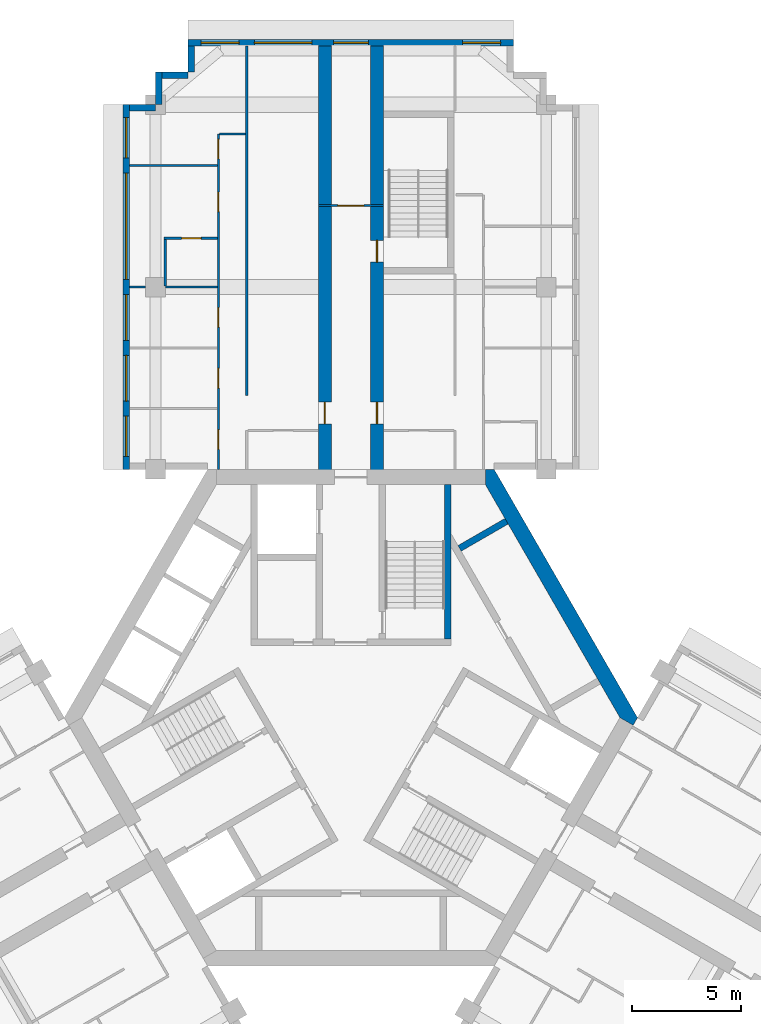
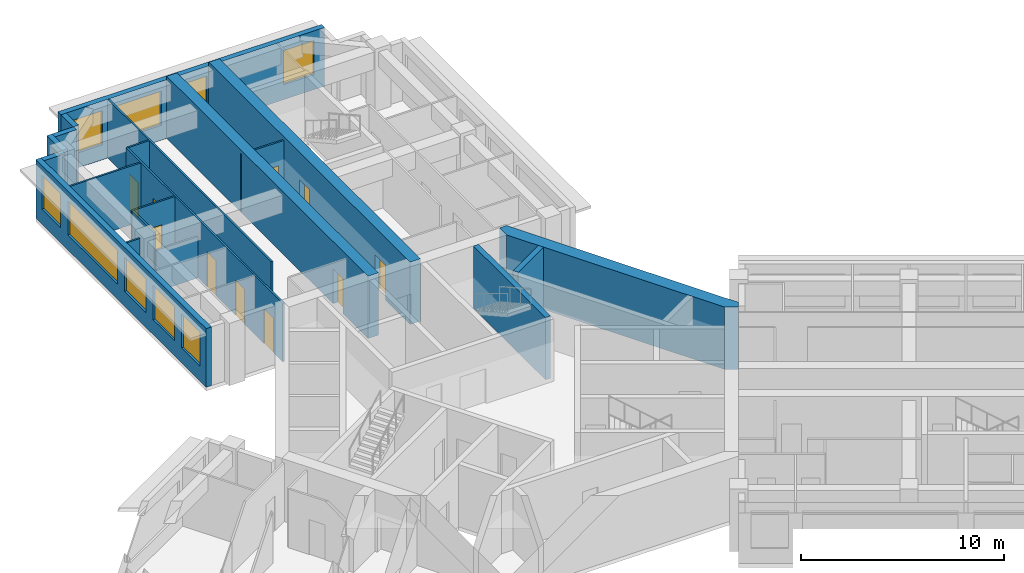
# One storey, part 7 of 10: 20 walls, 10 doors, 9 windows, 19 openings.
"""IFC4 building model written with IfcOpenShell, lengths in metres."""

from ifc_helpers import new_model, si_unit, direction, frame, frame_2d, origin, place, context, subcontext, project, spatial, polyline, rectangle, outline, extrude, material, layer, layer_set, type_object, element, fill, save


model = new_model("IFC4")

# Units and contexts
model_context = context("Model", 3, precision=1e-05, world=origin(), true_north=direction((0.0, 1.0)))
body_context = subcontext(model_context, "Body", "Model", "MODEL_VIEW")
ifc_project = project(units=[si_unit("LENGTHUNIT", "METRE"), si_unit("AREAUNIT", "SQUARE_METRE"), si_unit("VOLUMEUNIT", "CUBIC_METRE"), si_unit("PLANEANGLEUNIT", "RADIAN"), si_unit("MASSUNIT", "GRAM", prefix="KILO")], contexts=[model_context])

# Site, building, storey
site_placement = place(None, origin())
site = spatial("IfcSite", under=ifc_project, at=site_placement, CompositionType="ELEMENT")
building_placement = place(site_placement, origin())
building = spatial("IfcBuilding", under=site, at=building_placement, Name="Impinga Residences", CompositionType="ELEMENT")
storey_placement = place(building_placement, frame((0.0, 0.0, 229.75)))
storey = spatial("IfcBuildingStorey", under=building, at=storey_placement, Name="L57", CompositionType="ELEMENT", Elevation=229.75)

# Wall, opening, door
ifc_material_1 = material(Name="Concrete C60/75", Category="concrete")
ifc_layer_1 = layer(ifc_material_1, 0.60009765625)
ifc_layer_set_1 = layer_set([ifc_layer_1], Name="Concrete C60/75")
wall_type_1 = type_object("IfcWallType", Name="BW3 corridor buttress wall, L46 to L73 600", PredefinedType="SHEAR", material=ifc_layer_set_1)
wall_1_placement = place(storey_placement, frame((-1.199951171875, 11.08154296875, 0.0), z_axis=(0.0, 0.0, 1.0), x_axis=(0.0, 1.0, 0.0)))
wall_1 = element("IfcWall", 1, at=wall_1_placement, inside=storey, type_object=wall_type_1, Name="Corridor wall BW3 NC L57", PredefinedType="SHEAR", context=body_context, shape_type="SweptSolid", body=[
    extrude(rectangle(XDim=19.85009765625, YDim=0.60009765625, at=frame_2d((9.925048828125, 0.0))), origin(), (0.0, 0.0, 1.0), 3.75),
])
opening_1_placement = place(wall_1_placement, frame((2.449951171875, 0.0, 0.0)))
opening_1 = element("IfcOpeningElement", 2, at=opening_1_placement, cuts=wall_1, Name="Opening D1", PredefinedType="OPENING", context=body_context, shape_type="SweptSolid", body=[
    extrude(rectangle(XDim=1.0, YDim=2.10009765625, at=frame_2d((0.5, 1.050048828125))), frame((0.0, 0.31005859375, 0.0), z_axis=(0.0, -1.0, 0.0), x_axis=(1.0, 0.0, 0.0)), (0.0, 0.0, 1.0), 0.6201171875),
])
ifc_material_2 = material(Name="Timber door set", Category="wood")
door_type_1 = type_object("IfcDoorType", Name="D1 apartment entrance door 1000x2100", OperationType="SINGLE_SWING_LEFT", PredefinedType="DOOR", material=ifc_material_2)
door_1_placement = place(opening_1_placement, origin())
door_1 = element("IfcDoor", 3, at=door_1_placement, inside=storey, type_object=door_type_1, Name="Apartment L57-NA1 entrance", OperationType="SINGLE_SWING_LEFT", OverallHeight=2.10009765625, OverallWidth=1.0, PredefinedType="DOOR", context=body_context, shape_type="SweptSolid", body=[
    extrude(rectangle(XDim=1.0, YDim=2.10009765625, at=frame_2d((0.5, 1.050048828125))), frame((0.0, 0.02490234375, 0.0), z_axis=(0.0, -1.0, 0.0), x_axis=(1.0, 0.0, 0.0)), (0.0, 0.0, 1.0), 0.050048828125),
])
fill(opening_1, door_1)

# Wall, openings, doors
wall_2_placement = place(storey_placement, frame((1.199951171875, 11.08154296875, 0.0), z_axis=(0.0, 0.0, 1.0), x_axis=(0.0, 1.0, 0.0)))
wall_2 = element("IfcWall", 4, at=wall_2_placement, inside=storey, type_object=wall_type_1, Name="Corridor wall BW3 ND L57", PredefinedType="SHEAR", context=body_context, shape_type="SweptSolid", body=[
    extrude(rectangle(XDim=19.85009765625, YDim=0.60009765625, at=frame_2d((9.925048828125, 0.0))), origin(), (0.0, 0.0, 1.0), 3.75),
])
opening_2_placement = place(wall_2_placement, frame((9.89990234375, 0.0, 0.0)))
opening_2 = element("IfcOpeningElement", 5, at=opening_2_placement, cuts=wall_2, Name="Opening D5", PredefinedType="OPENING", context=body_context, shape_type="SweptSolid", body=[
    extrude(rectangle(XDim=1.0, YDim=2.10009765625, at=frame_2d((0.5, 1.050048828125))), frame((0.0, 0.31005859375, 0.0), z_axis=(0.0, -1.0, 0.0), x_axis=(1.0, 0.0, 0.0)), (0.0, 0.0, 1.0), 0.6201171875),
])
opening_3_placement = place(wall_2_placement, frame((2.449951171875, 0.0, 0.0)))
opening_3 = element("IfcOpeningElement", 6, at=opening_3_placement, cuts=wall_2, Name="Opening D1", PredefinedType="OPENING", context=body_context, shape_type="SweptSolid", body=[
    extrude(rectangle(XDim=1.0, YDim=2.10009765625, at=frame_2d((0.5, 1.050048828125))), frame((0.0, 0.31005859375, 0.0), z_axis=(0.0, -1.0, 0.0), x_axis=(1.0, 0.0, 0.0)), (0.0, 0.0, 1.0), 0.6201171875),
])
door_2_placement = place(opening_3_placement, origin())
door_2 = element("IfcDoor", 7, at=door_2_placement, inside=storey, type_object=door_type_1, Name="Apartment L57-NF1 entrance", OperationType="SINGLE_SWING_LEFT", OverallHeight=2.10009765625, OverallWidth=1.0, PredefinedType="DOOR", context=body_context, shape_type="SweptSolid", body=[
    extrude(rectangle(XDim=1.0, YDim=2.10009765625, at=frame_2d((0.5, 1.050048828125))), frame((0.0, 0.02490234375, 0.0), z_axis=(0.0, -1.0, 0.0), x_axis=(1.0, 0.0, 0.0)), (0.0, 0.0, 1.0), 0.050048828125),
])
fill(opening_3, door_2)
door_type_2 = type_object("IfcDoorType", Name="D5 stair door 1000x2100", OperationType="SINGLE_SWING_LEFT", PredefinedType="DOOR", material=ifc_material_2)
door_3_placement = place(opening_2_placement, origin())
door_3 = element("IfcDoor", 8, at=door_3_placement, inside=storey, type_object=door_type_2, Name="Wing stair door N", OperationType="SINGLE_SWING_RIGHT", OverallHeight=2.10009765625, OverallWidth=1.0, PredefinedType="DOOR", context=body_context, shape_type="SweptSolid", body=[
    extrude(rectangle(XDim=1.0, YDim=2.10009765625, at=frame_2d((0.5, 1.050048828125))), frame((0.0, 0.02490234375, 0.0), z_axis=(0.0, -1.0, 0.0), x_axis=(1.0, 0.0, 0.0)), (0.0, 0.0, 1.0), 0.050048828125),
])
fill(opening_2, door_3)

# Wall, opening, door
ifc_material_3 = material(Name="Concrete blockwork", Category="masonry")
ifc_layer_2 = layer(ifc_material_3, 0.10009765625)
ifc_layer_set_2 = layer_set([ifc_layer_2], Name="CP1 core room partition, blockwork 100")
wall_type_2 = type_object("IfcWallType", Name="CP1 core room partition, blockwork 100", PredefinedType="PARTITIONING", material=ifc_layer_set_2)
wall_3_placement = place(storey_placement, frame((-1.5, 23.58154296875, 0.0), z_axis=(0.0, 0.0, 1.0), x_axis=(1.0, 0.0, 0.0)))
wall_3 = element("IfcWall", 9, at=wall_3_placement, inside=storey, type_object=wall_type_2, Name="Core room partition, blockwork L57:N:LNG", PredefinedType="PARTITIONING", context=body_context, shape_type="SweptSolid", body=[
    extrude(rectangle(XDim=3.0, YDim=0.10009765625, at=frame_2d((1.5, 0.0))), origin(), (0.0, 0.0, 1.0), 3.530029296875),
])
opening_4_placement = place(wall_3_placement, frame((0.89990234375, 0.0, 0.0)))
opening_4 = element("IfcOpeningElement", 10, at=opening_4_placement, cuts=wall_3, Name="Opening D3", PredefinedType="OPENING", context=body_context, shape_type="SweptSolid", body=[
    extrude(rectangle(XDim=1.199951171875, YDim=2.10009765625, at=frame_2d((0.60009765625, 1.050048828125))), frame((0.0, 0.06005859375, 0.0), z_axis=(0.0, -1.0, 0.0), x_axis=(1.0, 0.0, 0.0)), (0.0, 0.0, 1.0), 0.1201171875),
])
door_type_3 = type_object("IfcDoorType", Name="D3 room door, leaf and a half 1200x2100", OperationType="DOUBLE_SWING_LEFT", PredefinedType="DOOR", material=ifc_material_2)
door_4_placement = place(opening_4_placement, origin())
door_4 = element("IfcDoor", 11, at=door_4_placement, inside=storey, type_object=door_type_3, Name="Residents' lounge door N", OperationType="DOUBLE_SWING_LEFT", OverallHeight=2.10009765625, OverallWidth=1.199951171875, PredefinedType="DOOR", context=body_context, shape_type="SweptSolid", body=[
    extrude(rectangle(XDim=1.199951171875, YDim=2.10009765625, at=frame_2d((0.60009765625, 1.050048828125))), frame((0.0, 0.02490234375, 0.0), z_axis=(0.0, -1.0, 0.0), x_axis=(1.0, 0.0, 0.0)), (0.0, 0.0, 1.0), 0.050048828125),
])
fill(opening_4, door_4)

# Wall, openings, windows
ifc_material_4 = material(Name="Terracotta rainscreen on blockwork", Category="masonry")
ifc_layer_3 = layer(ifc_material_4, 0.300048828125)
ifc_layer_set_3 = layer_set([ifc_layer_3], Name="EW1 external wall, terracotta rainscreen on blockwork 300")
wall_type_3 = type_object("IfcWallType", Name="EW1 external wall, terracotta rainscreen on blockwork 300", PredefinedType="SOLIDWALL", material=ifc_layer_set_3)
wall_4_placement = place(storey_placement, frame((-10.35009765625, 11.431640625, 0.0), z_axis=(0.0, 0.0, 1.0), x_axis=(0.0, 1.0, 0.0)))
wall_4 = element("IfcWall", 12, at=wall_4_placement, inside=storey, type_object=wall_type_3, Name="External wall EW1 L57", PredefinedType="SOLIDWALL", context=body_context, shape_type="SweptSolid", body=[
    extrude(rectangle(XDim=16.7998046875, YDim=0.300048828125, at=frame_2d((8.39990234375, 0.0))), origin(), (0.0, 0.0, 1.0), 3.530029296875),
])
opening_5_placement = place(wall_4_placement, frame((0.60009765625, 0.0, 0.89990234375)))
opening_5 = element("IfcOpeningElement", 13, at=opening_5_placement, cuts=wall_4, Name="Opening W15", PredefinedType="OPENING", context=body_context, shape_type="SweptSolid", body=[
    extrude(rectangle(XDim=1.85009765625, YDim=2.050048828125, at=frame_2d((0.925048828125, 1.02490234375))), frame((0.0, 0.159912109375, 0.0), z_axis=(0.0, -1.0, 0.0), x_axis=(1.0, 0.0, 0.0)), (0.0, 0.0, 1.0), 0.320068359375),
])
opening_6_placement = place(wall_4_placement, frame((3.14990234375, 0.0, 0.89990234375)))
opening_6 = element("IfcOpeningElement", 14, at=opening_6_placement, cuts=wall_4, Name="Opening W9", PredefinedType="OPENING", context=body_context, shape_type="SweptSolid", body=[
    extrude(rectangle(XDim=2.10009765625, YDim=2.050048828125, at=frame_2d((1.050048828125, 1.02490234375))), frame((0.0, 0.159912109375, 0.0), z_axis=(0.0, -1.0, 0.0), x_axis=(1.0, 0.0, 0.0)), (0.0, 0.0, 1.0), 0.320068359375),
])
opening_7_placement = place(wall_4_placement, frame((5.949951171875, 0.0, 0.89990234375)))
opening_7 = element("IfcOpeningElement", 15, at=opening_7_placement, cuts=wall_4, Name="Opening W9", PredefinedType="OPENING", context=body_context, shape_type="SweptSolid", body=[
    extrude(rectangle(XDim=2.10009765625, YDim=2.050048828125, at=frame_2d((1.050048828125, 1.02490234375))), frame((0.0, 0.159912109375, 0.0), z_axis=(0.0, -1.0, 0.0), x_axis=(1.0, 0.0, 0.0)), (0.0, 0.0, 1.0), 0.320068359375),
])
opening_8_placement = place(wall_4_placement, frame((8.75, 0.0, 0.89990234375)))
opening_8 = element("IfcOpeningElement", 16, at=opening_8_placement, cuts=wall_4, Name="Opening W16", PredefinedType="OPENING", context=body_context, shape_type="SweptSolid", body=[
    extrude(rectangle(XDim=4.89990234375, YDim=2.050048828125, at=frame_2d((2.449951171875, 1.02490234375))), frame((0.0, 0.159912109375, 0.0), z_axis=(0.0, -1.0, 0.0), x_axis=(1.0, 0.0, 0.0)), (0.0, 0.0, 1.0), 0.320068359375),
])
opening_9_placement = place(wall_4_placement, frame((14.35009765625, 0.0, 0.89990234375)))
opening_9 = element("IfcOpeningElement", 17, at=opening_9_placement, cuts=wall_4, Name="Opening W15", PredefinedType="OPENING", context=body_context, shape_type="SweptSolid", body=[
    extrude(rectangle(XDim=1.85009765625, YDim=2.050048828125, at=frame_2d((0.925048828125, 1.02490234375))), frame((0.0, 0.159912109375, 0.0), z_axis=(0.0, -1.0, 0.0), x_axis=(1.0, 0.0, 0.0)), (0.0, 0.0, 1.0), 0.320068359375),
])
ifc_material_5 = material(Name="Aluminium window, clear double glazing", Category="aluminium")
window_type_1 = type_object("IfcWindowType", Name="W15 ribbon window 1850x2050", PartitioningType="SINGLE_PANEL", PredefinedType="WINDOW", material=ifc_material_5)
window_1_placement = place(opening_5_placement, origin())
window_1 = element("IfcWindow", 18, at=window_1_placement, inside=storey, type_object=window_type_1, Name="Window L57", OverallHeight=2.050048828125, OverallWidth=1.85009765625, PartitioningType="SINGLE_PANEL", PredefinedType="WINDOW", context=body_context, shape_type="SweptSolid", body=[
    extrude(rectangle(XDim=1.85009765625, YDim=2.050048828125, at=frame_2d((0.925048828125, 1.02490234375))), frame((0.0, 0.030029296875, 0.0), z_axis=(0.0, -1.0, 0.0), x_axis=(1.0, 0.0, 0.0)), (0.0, 0.0, 1.0), 0.06005859375),
])
fill(opening_5, window_1)
window_2_placement = place(opening_9_placement, origin())
window_2 = element("IfcWindow", 19, at=window_2_placement, inside=storey, type_object=window_type_1, Name="Window L57", OverallHeight=2.050048828125, OverallWidth=1.85009765625, PartitioningType="SINGLE_PANEL", PredefinedType="WINDOW", context=body_context, shape_type="SweptSolid", body=[
    extrude(rectangle(XDim=1.85009765625, YDim=2.050048828125, at=frame_2d((0.925048828125, 1.02490234375))), frame((0.0, 0.030029296875, 0.0), z_axis=(0.0, -1.0, 0.0), x_axis=(1.0, 0.0, 0.0)), (0.0, 0.0, 1.0), 0.06005859375),
])
fill(opening_9, window_2)
window_type_2 = type_object("IfcWindowType", Name="W16 ribbon window 4900x2050", PartitioningType="SINGLE_PANEL", PredefinedType="WINDOW", material=ifc_material_5)
window_3_placement = place(opening_8_placement, origin())
window_3 = element("IfcWindow", 20, at=window_3_placement, inside=storey, type_object=window_type_2, Name="Window L57", OverallHeight=2.050048828125, OverallWidth=4.89990234375, PartitioningType="SINGLE_PANEL", PredefinedType="WINDOW", context=body_context, shape_type="SweptSolid", body=[
    extrude(rectangle(XDim=4.89990234375, YDim=2.050048828125, at=frame_2d((2.449951171875, 1.02490234375))), frame((0.0, 0.030029296875, 0.0), z_axis=(0.0, -1.0, 0.0), x_axis=(1.0, 0.0, 0.0)), (0.0, 0.0, 1.0), 0.06005859375),
])
fill(opening_8, window_3)
window_type_3 = type_object("IfcWindowType", Name="W9 ribbon window 2100x2050", PartitioningType="SINGLE_PANEL", PredefinedType="WINDOW", material=ifc_material_5)
window_4_placement = place(opening_6_placement, origin())
window_4 = element("IfcWindow", 21, at=window_4_placement, inside=storey, type_object=window_type_3, Name="Window L57", OverallHeight=2.050048828125, OverallWidth=2.10009765625, PartitioningType="SINGLE_PANEL", PredefinedType="WINDOW", context=body_context, shape_type="SweptSolid", body=[
    extrude(rectangle(XDim=2.10009765625, YDim=2.050048828125, at=frame_2d((1.050048828125, 1.02490234375))), frame((0.0, 0.030029296875, 0.0), z_axis=(0.0, -1.0, 0.0), x_axis=(1.0, 0.0, 0.0)), (0.0, 0.0, 1.0), 0.06005859375),
])
fill(opening_6, window_4)
window_5_placement = place(opening_7_placement, origin())
window_5 = element("IfcWindow", 22, at=window_5_placement, inside=storey, type_object=window_type_3, Name="Window L57", OverallHeight=2.050048828125, OverallWidth=2.10009765625, PartitioningType="SINGLE_PANEL", PredefinedType="WINDOW", context=body_context, shape_type="SweptSolid", body=[
    extrude(rectangle(XDim=2.10009765625, YDim=2.050048828125, at=frame_2d((1.050048828125, 1.02490234375))), frame((0.0, 0.030029296875, 0.0), z_axis=(0.0, -1.0, 0.0), x_axis=(1.0, 0.0, 0.0)), (0.0, 0.0, 1.0), 0.06005859375),
])
fill(opening_7, window_5)

# Walls
wall_5_placement = place(storey_placement, frame((-10.199951171875, 28.08154296875, 0.0), z_axis=(0.0, 0.0, 1.0), x_axis=(1.0, 0.0, 0.0)))
element("IfcWall", 23, at=wall_5_placement, inside=storey, type_object=wall_type_3, Name="External wall EW1 L57", PredefinedType="SOLIDWALL", context=body_context, shape_type="SweptSolid", body=[
    extrude(rectangle(XDim=1.199951171875, YDim=0.300048828125, at=frame_2d((0.60009765625, 0.0))), origin(), (0.0, 0.0, 1.0), 3.530029296875),
])
wall_6_placement = place(storey_placement, frame((-8.85009765625, 28.236572265625, 0.0), z_axis=(0.0, 0.0, 1.0), x_axis=(0.0, 1.0, 0.0)))
element("IfcWall", 24, at=wall_6_placement, inside=storey, type_object=wall_type_3, Name="External wall EW1 L57", PredefinedType="SOLIDWALL", context=body_context, shape_type="SweptSolid", body=[
    extrude(rectangle(XDim=1.494873046875, YDim=0.300048828125, at=frame_2d((0.74755859375, 0.0))), origin(), (0.0, 0.0, 1.0), 3.530029296875),
])
wall_7_placement = place(storey_placement, frame((-8.699951171875, 29.58154296875, 0.0), z_axis=(0.0, 0.0, 1.0), x_axis=(1.0, 0.0, 0.0)))
element("IfcWall", 25, at=wall_7_placement, inside=storey, type_object=wall_type_3, Name="External wall EW1 L57", PredefinedType="SOLIDWALL", context=body_context, shape_type="SweptSolid", body=[
    extrude(rectangle(XDim=1.199951171875, YDim=0.300048828125, at=frame_2d((0.60009765625, 0.0))), origin(), (0.0, 0.0, 1.0), 3.530029296875),
])
wall_8_placement = place(storey_placement, frame((-7.35009765625, 29.736572265625, 0.0), z_axis=(0.0, 0.0, 1.0), x_axis=(0.0, 1.0, 0.0)))
element("IfcWall", 26, at=wall_8_placement, inside=storey, type_object=wall_type_3, Name="External wall EW1 L57", PredefinedType="SOLIDWALL", context=body_context, shape_type="SweptSolid", body=[
    extrude(rectangle(XDim=1.195068359375, YDim=0.300048828125, at=frame_2d((0.59765625, 0.0))), origin(), (0.0, 0.0, 1.0), 3.530029296875),
])

# Wall, openings, windows
wall_9_placement = place(storey_placement, frame((-7.5, 31.08154296875, 0.0), z_axis=(0.0, 0.0, 1.0), x_axis=(1.0, 0.0, 0.0)))
wall_9 = element("IfcWall", 27, at=wall_9_placement, inside=storey, type_object=wall_type_3, Name="External wall EW1 L57", PredefinedType="SOLIDWALL", context=body_context, shape_type="SweptSolid", body=[
    extrude(rectangle(XDim=15.0, YDim=0.300048828125, at=frame_2d((7.5, 0.0))), origin(), (0.0, 0.0, 1.0), 3.530029296875),
])
opening_10_placement = place(wall_9_placement, frame((0.60009765625, 0.0, 0.89990234375)))
opening_10 = element("IfcOpeningElement", 28, at=opening_10_placement, cuts=wall_9, Name="Opening W1", PredefinedType="OPENING", context=body_context, shape_type="SweptSolid", body=[
    extrude(rectangle(XDim=1.75, YDim=2.050048828125, at=frame_2d((0.875, 1.02490234375))), frame((0.0, 0.159912109375, 0.0), z_axis=(0.0, -1.0, 0.0), x_axis=(1.0, 0.0, 0.0)), (0.0, 0.0, 1.0), 0.320068359375),
])
opening_11_placement = place(wall_9_placement, frame((3.050048828125, 0.0, 0.89990234375)))
opening_11 = element("IfcOpeningElement", 29, at=opening_11_placement, cuts=wall_9, Name="Opening W18", PredefinedType="OPENING", context=body_context, shape_type="SweptSolid", body=[
    extrude(rectangle(XDim=2.64990234375, YDim=2.050048828125, at=frame_2d((1.324951171875, 1.02490234375))), frame((0.0, 0.159912109375, 0.0), z_axis=(0.0, -1.0, 0.0), x_axis=(1.0, 0.0, 0.0)), (0.0, 0.0, 1.0), 0.320068359375),
])
opening_12_placement = place(wall_9_placement, frame((6.699951171875, 0.0, 0.89990234375)))
opening_12 = element("IfcOpeningElement", 30, at=opening_12_placement, cuts=wall_9, Name="Opening W19", PredefinedType="OPENING", context=body_context, shape_type="SweptSolid", body=[
    extrude(rectangle(XDim=1.60009765625, YDim=2.050048828125, at=frame_2d((0.800048828125, 1.02490234375))), frame((0.0, 0.159912109375, 0.0), z_axis=(0.0, -1.0, 0.0), x_axis=(1.0, 0.0, 0.0)), (0.0, 0.0, 1.0), 0.320068359375),
])
opening_13_placement = place(wall_9_placement, frame((12.64990234375, 0.0, 0.89990234375)))
opening_13 = element("IfcOpeningElement", 31, at=opening_13_placement, cuts=wall_9, Name="Opening W1", PredefinedType="OPENING", context=body_context, shape_type="SweptSolid", body=[
    extrude(rectangle(XDim=1.75, YDim=2.050048828125, at=frame_2d((0.875, 1.02490234375))), frame((0.0, 0.159912109375, 0.0), z_axis=(0.0, -1.0, 0.0), x_axis=(1.0, 0.0, 0.0)), (0.0, 0.0, 1.0), 0.320068359375),
])
window_type_4 = type_object("IfcWindowType", Name="W1 ribbon window 1750x2050", PartitioningType="SINGLE_PANEL", PredefinedType="WINDOW", material=ifc_material_5)
window_6_placement = place(opening_10_placement, origin())
window_6 = element("IfcWindow", 32, at=window_6_placement, inside=storey, type_object=window_type_4, Name="Window L57", OverallHeight=2.050048828125, OverallWidth=1.75, PartitioningType="SINGLE_PANEL", PredefinedType="WINDOW", context=body_context, shape_type="SweptSolid", body=[
    extrude(rectangle(XDim=1.75, YDim=2.050048828125, at=frame_2d((0.875, 1.02490234375))), frame((0.0, 0.030029296875, 0.0), z_axis=(0.0, -1.0, 0.0), x_axis=(1.0, 0.0, 0.0)), (0.0, 0.0, 1.0), 0.06005859375),
])
fill(opening_10, window_6)
window_7_placement = place(opening_13_placement, origin())
window_7 = element("IfcWindow", 33, at=window_7_placement, inside=storey, type_object=window_type_4, Name="Window L57", OverallHeight=2.050048828125, OverallWidth=1.75, PartitioningType="SINGLE_PANEL", PredefinedType="WINDOW", context=body_context, shape_type="SweptSolid", body=[
    extrude(rectangle(XDim=1.75, YDim=2.050048828125, at=frame_2d((0.875, 1.02490234375))), frame((0.0, 0.030029296875, 0.0), z_axis=(0.0, -1.0, 0.0), x_axis=(1.0, 0.0, 0.0)), (0.0, 0.0, 1.0), 0.06005859375),
])
fill(opening_13, window_7)
window_type_5 = type_object("IfcWindowType", Name="W18 ribbon window 2650x2050", PartitioningType="SINGLE_PANEL", PredefinedType="WINDOW", material=ifc_material_5)
window_8_placement = place(opening_11_placement, origin())
window_8 = element("IfcWindow", 34, at=window_8_placement, inside=storey, type_object=window_type_5, Name="Window L57", OverallHeight=2.050048828125, OverallWidth=2.64990234375, PartitioningType="SINGLE_PANEL", PredefinedType="WINDOW", context=body_context, shape_type="SweptSolid", body=[
    extrude(rectangle(XDim=2.64990234375, YDim=2.050048828125, at=frame_2d((1.324951171875, 1.02490234375))), frame((0.0, 0.030029296875, 0.0), z_axis=(0.0, -1.0, 0.0), x_axis=(1.0, 0.0, 0.0)), (0.0, 0.0, 1.0), 0.06005859375),
])
fill(opening_11, window_8)
window_type_6 = type_object("IfcWindowType", Name="W19 ribbon window 1600x2050", PartitioningType="SINGLE_PANEL", PredefinedType="WINDOW", material=ifc_material_5)
window_9_placement = place(opening_12_placement, origin())
window_9 = element("IfcWindow", 35, at=window_9_placement, inside=storey, type_object=window_type_6, Name="Window L57", OverallHeight=2.050048828125, OverallWidth=1.60009765625, PartitioningType="SINGLE_PANEL", PredefinedType="WINDOW", context=body_context, shape_type="SweptSolid", body=[
    extrude(rectangle(XDim=1.60009765625, YDim=2.050048828125, at=frame_2d((0.800048828125, 1.02490234375))), frame((0.0, 0.030029296875, 0.0), z_axis=(0.0, -1.0, 0.0), x_axis=(1.0, 0.0, 0.0)), (0.0, 0.0, 1.0), 0.06005859375),
])
fill(opening_12, window_9)

# Wall
ifc_material_6 = material(Name="Gypsum board on steel studs", Category="steel")
ifc_layer_4 = layer(ifc_material_6, 0.10009765625)
ifc_layer_set_4 = layer_set([ifc_layer_4], Name="Gypsum board on steel studs")
wall_type_4 = type_object("IfcWallType", Name="IP1 partition 100", PredefinedType="PARTITIONING", material=ifc_layer_set_4)
wall_10_placement = place(storey_placement, frame((-4.800048828125, 14.83154296875, 0.0), z_axis=(0.0, 0.0, 1.0), x_axis=(0.0, 1.0, 0.0)))
element("IfcWall", 36, at=wall_10_placement, inside=storey, type_object=wall_type_4, Name="Partition L57-NA1:DIV1", PredefinedType="PARTITIONING", context=body_context, shape_type="SweptSolid", body=[
    extrude(rectangle(XDim=16.10009765625, YDim=0.10009765625, at=frame_2d((8.050048828125, 0.0))), origin(), (0.0, 0.0, 1.0), 3.530029296875),
])

# Wall, openings, doors
wall_11_placement = place(storey_placement, frame((-6.10009765625, 11.431640625, 0.0), z_axis=(0.0, 0.0, 1.0), x_axis=(0.0, 1.0, 0.0)))
wall_11 = element("IfcWall", 37, at=wall_11_placement, inside=storey, type_object=wall_type_4, Name="Partition L57-NA1:STRIP", PredefinedType="PARTITIONING", context=body_context, shape_type="SweptSolid", body=[
    extrude(rectangle(XDim=15.449951171875, YDim=0.10009765625, at=frame_2d((7.72509765625, 0.0))), origin(), (0.0, 0.0, 1.0), 3.530029296875),
])
opening_14_placement = place(wall_11_placement, frame((0.925048828125, 0.0, 0.0)))
opening_14 = element("IfcOpeningElement", 38, at=opening_14_placement, cuts=wall_11, Name="Opening D2", PredefinedType="OPENING", context=body_context, shape_type="SweptSolid", body=[
    extrude(rectangle(XDim=0.89990234375, YDim=2.10009765625, at=frame_2d((0.449951171875, 1.050048828125))), frame((0.0, 0.06005859375, 0.0), z_axis=(0.0, -1.0, 0.0), x_axis=(1.0, 0.0, 0.0)), (0.0, 0.0, 1.0), 0.1201171875),
])
opening_15_placement = place(wall_11_placement, frame((3.75, 0.0, 0.0)))
opening_15 = element("IfcOpeningElement", 39, at=opening_15_placement, cuts=wall_11, Name="Opening D2", PredefinedType="OPENING", context=body_context, shape_type="SweptSolid", body=[
    extrude(rectangle(XDim=0.89990234375, YDim=2.10009765625, at=frame_2d((0.449951171875, 1.050048828125))), frame((0.0, 0.06005859375, 0.0), z_axis=(0.0, -1.0, 0.0), x_axis=(1.0, 0.0, 0.0)), (0.0, 0.0, 1.0), 0.1201171875),
])
opening_16_placement = place(wall_11_placement, frame((6.550048828125, 0.0, 0.0)))
opening_16 = element("IfcOpeningElement", 40, at=opening_16_placement, cuts=wall_11, Name="Opening D2", PredefinedType="OPENING", context=body_context, shape_type="SweptSolid", body=[
    extrude(rectangle(XDim=0.89990234375, YDim=2.10009765625, at=frame_2d((0.449951171875, 1.050048828125))), frame((0.0, 0.06005859375, 0.0), z_axis=(0.0, -1.0, 0.0), x_axis=(1.0, 0.0, 0.0)), (0.0, 0.0, 1.0), 0.1201171875),
])
opening_17_placement = place(wall_11_placement, frame((11.875, 0.0, 0.0)))
opening_17 = element("IfcOpeningElement", 41, at=opening_17_placement, cuts=wall_11, Name="Opening D2", PredefinedType="OPENING", context=body_context, shape_type="SweptSolid", body=[
    extrude(rectangle(XDim=0.89990234375, YDim=2.10009765625, at=frame_2d((0.449951171875, 1.050048828125))), frame((0.0, 0.06005859375, 0.0), z_axis=(0.0, -1.0, 0.0), x_axis=(1.0, 0.0, 0.0)), (0.0, 0.0, 1.0), 0.1201171875),
])
opening_18_placement = place(wall_11_placement, frame((14.300048828125, 0.0, 0.0)))
opening_18 = element("IfcOpeningElement", 42, at=opening_18_placement, cuts=wall_11, Name="Opening D2", PredefinedType="OPENING", context=body_context, shape_type="SweptSolid", body=[
    extrude(rectangle(XDim=0.89990234375, YDim=2.10009765625, at=frame_2d((0.449951171875, 1.050048828125))), frame((0.0, 0.06005859375, 0.0), z_axis=(0.0, -1.0, 0.0), x_axis=(1.0, 0.0, 0.0)), (0.0, 0.0, 1.0), 0.1201171875),
])
door_type_4 = type_object("IfcDoorType", Name="D2 internal door 900x2100", OperationType="SINGLE_SWING_LEFT", PredefinedType="DOOR", material=ifc_material_2)
door_5_placement = place(opening_14_placement, origin())
door_5 = element("IfcDoor", 43, at=door_5_placement, inside=storey, type_object=door_type_4, Name="Apartment L57-NA1 room door", OperationType="SINGLE_SWING_LEFT", OverallHeight=2.10009765625, OverallWidth=0.89990234375, PredefinedType="DOOR", context=body_context, shape_type="SweptSolid", body=[
    extrude(rectangle(XDim=0.89990234375, YDim=2.10009765625, at=frame_2d((0.449951171875, 1.050048828125))), frame((0.0, 0.02490234375, 0.0), z_axis=(0.0, -1.0, 0.0), x_axis=(1.0, 0.0, 0.0)), (0.0, 0.0, 1.0), 0.050048828125),
])
fill(opening_14, door_5)
door_6_placement = place(opening_15_placement, origin())
door_6 = element("IfcDoor", 44, at=door_6_placement, inside=storey, type_object=door_type_4, Name="Apartment L57-NA1 room door", OperationType="SINGLE_SWING_LEFT", OverallHeight=2.10009765625, OverallWidth=0.89990234375, PredefinedType="DOOR", context=body_context, shape_type="SweptSolid", body=[
    extrude(rectangle(XDim=0.89990234375, YDim=2.10009765625, at=frame_2d((0.449951171875, 1.050048828125))), frame((0.0, 0.02490234375, 0.0), z_axis=(0.0, -1.0, 0.0), x_axis=(1.0, 0.0, 0.0)), (0.0, 0.0, 1.0), 0.050048828125),
])
fill(opening_15, door_6)
door_7_placement = place(opening_16_placement, origin())
door_7 = element("IfcDoor", 45, at=door_7_placement, inside=storey, type_object=door_type_4, Name="Apartment L57-NA1 room door", OperationType="SINGLE_SWING_LEFT", OverallHeight=2.10009765625, OverallWidth=0.89990234375, PredefinedType="DOOR", context=body_context, shape_type="SweptSolid", body=[
    extrude(rectangle(XDim=0.89990234375, YDim=2.10009765625, at=frame_2d((0.449951171875, 1.050048828125))), frame((0.0, 0.02490234375, 0.0), z_axis=(0.0, -1.0, 0.0), x_axis=(1.0, 0.0, 0.0)), (0.0, 0.0, 1.0), 0.050048828125),
])
fill(opening_16, door_7)
door_8_placement = place(opening_17_placement, origin())
door_8 = element("IfcDoor", 46, at=door_8_placement, inside=storey, type_object=door_type_4, Name="Apartment L57-NA1 room door", OperationType="SINGLE_SWING_RIGHT", OverallHeight=2.10009765625, OverallWidth=0.89990234375, PredefinedType="DOOR", context=body_context, shape_type="SweptSolid", body=[
    extrude(rectangle(XDim=0.89990234375, YDim=2.10009765625, at=frame_2d((0.449951171875, 1.050048828125))), frame((0.0, 0.02490234375, 0.0), z_axis=(0.0, -1.0, 0.0), x_axis=(1.0, 0.0, 0.0)), (0.0, 0.0, 1.0), 0.050048828125),
])
fill(opening_17, door_8)
door_9_placement = place(opening_18_placement, origin())
door_9 = element("IfcDoor", 47, at=door_9_placement, inside=storey, type_object=door_type_4, Name="Apartment L57-NA1 room door", OperationType="SINGLE_SWING_RIGHT", OverallHeight=2.10009765625, OverallWidth=0.89990234375, PredefinedType="DOOR", context=body_context, shape_type="SweptSolid", body=[
    extrude(rectangle(XDim=0.89990234375, YDim=2.10009765625, at=frame_2d((0.449951171875, 1.050048828125))), frame((0.0, 0.02490234375, 0.0), z_axis=(0.0, -1.0, 0.0), x_axis=(1.0, 0.0, 0.0)), (0.0, 0.0, 1.0), 0.050048828125),
])
fill(opening_18, door_9)

# Walls
wall_12_placement = place(storey_placement, frame((-4.85009765625, 26.881591796875, 0.0), z_axis=(0.0, 0.0, 1.0), x_axis=(-1.0, 0.0, 0.0)))
element("IfcWall", 48, at=wall_12_placement, inside=storey, type_object=wall_type_4, Name="Partition L57-NA1:SE1", PredefinedType="PARTITIONING", context=body_context, shape_type="SweptSolid", body=[
    extrude(rectangle(XDim=1.199951171875, YDim=0.10009765625, at=frame_2d((0.60009765625, 0.0))), origin(), (0.0, 0.0, 1.0), 3.530029296875),
])
wall_13_placement = place(storey_placement, frame((-6.14990234375, 19.83154296875, 0.0), z_axis=(0.0, 0.0, 1.0), x_axis=(-1.0, 0.0, 0.0)))
element("IfcWall", 49, at=wall_13_placement, inside=storey, type_object=wall_type_4, Name="Partition L57-NA1:OB3", PredefinedType="PARTITIONING", context=body_context, shape_type="SweptSolid", body=[
    extrude(rectangle(XDim=2.400146484375, YDim=0.10009765625, at=frame_2d((1.2001953125, 0.0))), origin(), (0.0, 0.0, 1.0), 2.47998046875),
])
wall_14_placement = place(storey_placement, frame((-9.449951171875, 19.83154296875, 0.0), z_axis=(0.0, 0.0, 1.0), x_axis=(-1.0, 0.0, 0.0)))
element("IfcWall", 50, at=wall_14_placement, inside=storey, type_object=wall_type_4, Name="Partition L57-NA1:OB3b", PredefinedType="PARTITIONING", context=body_context, shape_type="SweptSolid", body=[
    extrude(rectangle(XDim=0.75, YDim=0.10009765625, at=frame_2d((0.375, 0.0))), origin(), (0.0, 0.0, 1.0), 3.530029296875),
])
wall_15_placement = place(storey_placement, frame((-6.14990234375, 25.431640625, 0.0), z_axis=(0.0, 0.0, 1.0), x_axis=(-1.0, 0.0, 0.0)))
element("IfcWall", 51, at=wall_15_placement, inside=storey, type_object=wall_type_4, Name="Partition L57-NA1:OB4", PredefinedType="PARTITIONING", context=body_context, shape_type="SweptSolid", body=[
    extrude(rectangle(XDim=4.050048828125, YDim=0.10009765625, at=frame_2d((2.02490234375, 0.0))), origin(), (0.0, 0.0, 1.0), 3.530029296875),
])

# Wall, opening, door
wall_16_placement = place(storey_placement, frame((-6.14990234375, 22.08154296875, 0.0), z_axis=(0.0, 0.0, 1.0), x_axis=(-1.0, 0.0, 0.0)))
wall_16 = element("IfcWall", 52, at=wall_16_placement, inside=storey, type_object=wall_type_4, Name="Partition L57-NA1:EN1", PredefinedType="PARTITIONING", context=body_context, shape_type="SweptSolid", body=[
    extrude(rectangle(XDim=2.4501953125, YDim=0.10009765625, at=frame_2d((1.22509765625, 0.0))), origin(), (0.0, 0.0, 1.0), 3.530029296875),
])
opening_19_placement = place(wall_16_placement, frame((0.75, 0.0, 0.0)))
opening_19 = element("IfcOpeningElement", 53, at=opening_19_placement, cuts=wall_16, Name="Opening D2", PredefinedType="OPENING", context=body_context, shape_type="SweptSolid", body=[
    extrude(rectangle(XDim=0.89990234375, YDim=2.10009765625, at=frame_2d((0.449951171875, 1.050048828125))), frame((0.0, 0.06005859375, 0.0), z_axis=(0.0, -1.0, 0.0), x_axis=(1.0, 0.0, 0.0)), (0.0, 0.0, 1.0), 0.1201171875),
])
door_10_placement = place(opening_19_placement, origin())
door_10 = element("IfcDoor", 54, at=door_10_placement, inside=storey, type_object=door_type_4, Name="Apartment L57-NA1 en-suite door", OperationType="SINGLE_SWING_LEFT", OverallHeight=2.10009765625, OverallWidth=0.89990234375, PredefinedType="DOOR", context=body_context, shape_type="SweptSolid", body=[
    extrude(rectangle(XDim=0.89990234375, YDim=2.10009765625, at=frame_2d((0.449951171875, 1.050048828125))), frame((0.0, 0.02490234375, 0.0), z_axis=(0.0, -1.0, 0.0), x_axis=(1.0, 0.0, 0.0)), (0.0, 0.0, 1.0), 0.050048828125),
])
fill(opening_19, door_10)

# Walls
wall_17_placement = place(storey_placement, frame((-8.550048828125, 19.881591796875, 0.0), z_axis=(0.0, 0.0, 1.0), x_axis=(0.0, 1.0, 0.0)))
element("IfcWall", 55, at=wall_17_placement, inside=storey, type_object=wall_type_4, Name="Partition L57-NA1:EN2", PredefinedType="PARTITIONING", context=body_context, shape_type="SweptSolid", body=[
    extrude(rectangle(XDim=2.14990234375, YDim=0.10009765625, at=frame_2d((1.074951171875, 0.0))), origin(), (0.0, 0.0, 1.0), 3.530029296875),
])
ifc_layer_5 = layer(ifc_material_1, 0.699951171875)
ifc_layer_set_5 = layer_set([ifc_layer_5], Name="Concrete C60/75")
wall_type_5 = type_object("IfcWallType", Name="SW3 core wall 700", PredefinedType="SHEAR", material=ifc_layer_set_5)
wall_18_placement = place(storey_placement, origin())
element("IfcWall", 56, at=wall_18_placement, inside=storey, type_object=wall_type_5, Name="Core wall SW3 W:EXPOSED L57", PredefinedType="SHEAR", context=body_context, shape_type="SweptSolid", body=[
    extrude(outline(polyline([(13.199951171875, 0.0), (6.60009765625, 11.431640625), (6.19580078125, 11.431640625), (6.19580078125, 10.7314453125), (12.3916015625, 0.0), (12.998046875, -0.35009765625), (13.199951171875, 0.0)])), origin(), (0.0, 0.0, 1.0), 3.75),
])
ifc_material_7 = material(Name="Concrete C70/85", Category="concrete")
ifc_layer_6 = layer(ifc_material_7, 0.300048828125)
ifc_layer_set_6 = layer_set([ifc_layer_6], Name="Concrete C70/85")
wall_type_6 = type_object("IfcWallType", Name="SW5 core inner wall, stairs, shafts and lobbies 300", PredefinedType="SHEAR", material=ifc_layer_set_6)
wall_19_placement = place(storey_placement, frame((4.449951171875, 3.6298828125, 0.0), z_axis=(0.0, 0.0, 1.0), x_axis=(0.0, 1.0, 0.0)))
element("IfcWall", 57, at=wall_19_placement, inside=storey, type_object=wall_type_6, Name="Core wall SW5 N:ST-OUT L57", PredefinedType="SHEAR", context=body_context, shape_type="SweptSolid", body=[
    extrude(rectangle(XDim=7.1015625, YDim=0.300048828125, at=frame_2d((3.55078125, 0.0))), origin(), (0.0, 0.0, 1.0), 3.75),
])
wall_20_placement = place(storey_placement, frame((5.003662109375, 7.79638671875, 0.0), z_axis=(0.0, 0.0, 1.0), x_axis=(0.866022959057, 0.500004234368, 0.0)))
element("IfcWall", 58, at=wall_20_placement, inside=storey, type_object=wall_type_6, Name="Core wall SW5 W:BANK-L L57", PredefinedType="SHEAR", context=body_context, shape_type="SweptSolid", body=[
    extrude(rectangle(XDim=2.5, YDim=0.300048828125, at=frame_2d((1.25, 0.0))), origin(), (0.0, 0.0, 1.0), 3.75),
])

save(model, "model.ifc")
